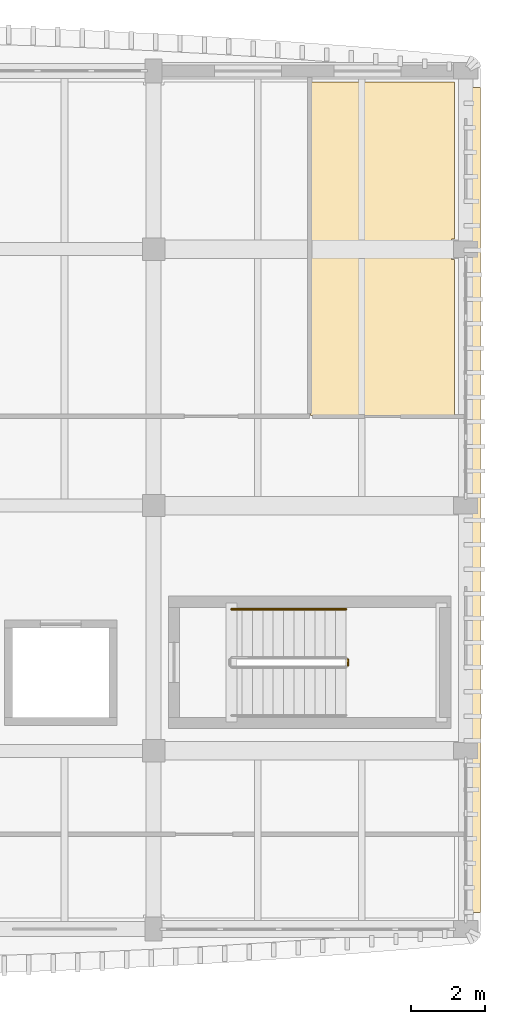
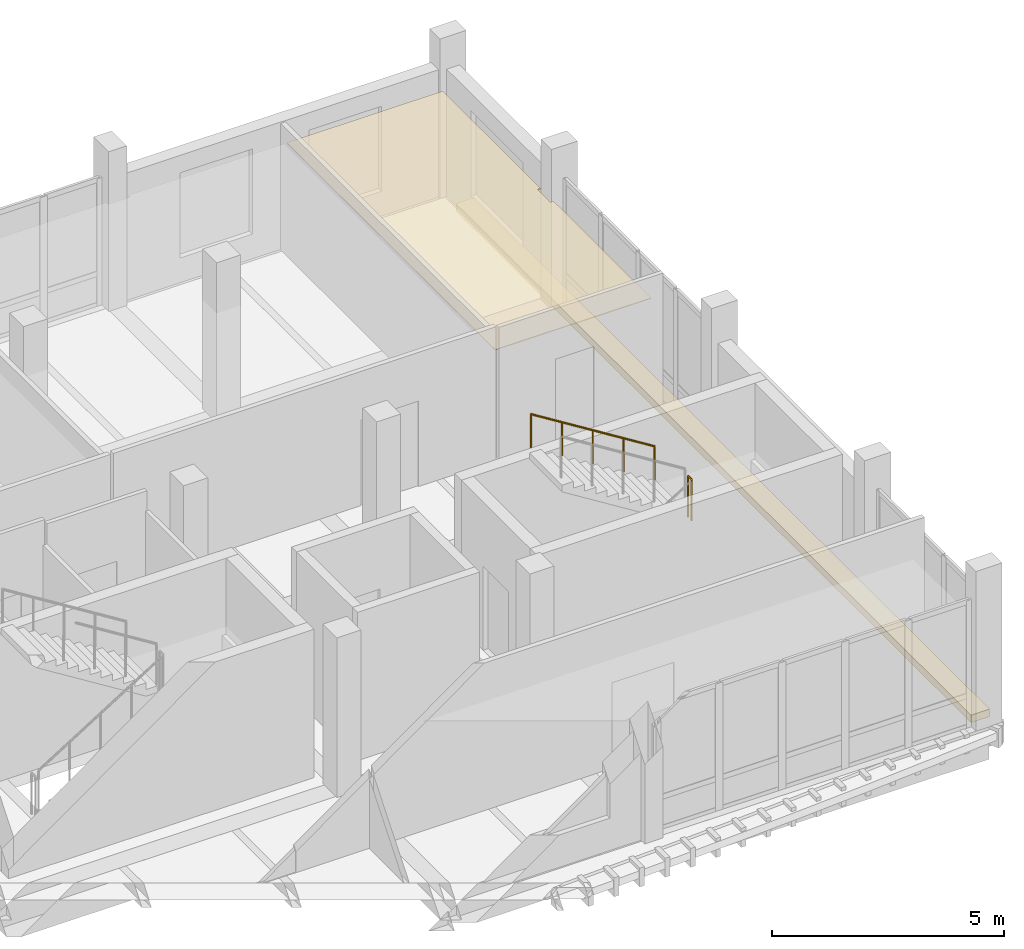
# One storey, part 13 of 16: 2 coverings, 2 railings.
"""IFC4 building model written with IfcOpenShell, lengths in metres."""

from ifc_helpers import new_model, si_unit, direction, frame, origin, origin_2d, place, context, subcontext, project, spatial, polyline, circle, outline, extrude, material, layer, layer_set, type_object, element, save


model = new_model("IFC4")

# Units and contexts
model_context = context("Model", 3, precision=1e-05, world=origin(), true_north=direction((0.0, 1.0)))
body_context = subcontext(model_context, "Body", "Model", "MODEL_VIEW")
ifc_project = project(units=[si_unit("LENGTHUNIT", "METRE"), si_unit("AREAUNIT", "SQUARE_METRE"), si_unit("VOLUMEUNIT", "CUBIC_METRE"), si_unit("PLANEANGLEUNIT", "RADIAN"), si_unit("MASSUNIT", "GRAM", prefix="KILO")], contexts=[model_context])

# Site, building, storey
site_placement = place(None, origin())
site = spatial("IfcSite", under=ifc_project, at=site_placement, CompositionType="ELEMENT")
building_placement = place(site_placement, origin())
building = spatial("IfcBuilding", under=site, at=building_placement, Name="Dornvale Research Institute", CompositionType="ELEMENT")
storey_placement = place(building_placement, frame((0.0, 0.0, 42.60009765625)))
storey = spatial("IfcBuildingStorey", under=building, at=storey_placement, Name="L09", CompositionType="ELEMENT", Elevation=42.60009765625)

# Coverings
ifc_material_1 = material(Name="Mineral-Fibre Acoustic Lay-In Ceiling Tile System")
ifc_layer_1 = layer(ifc_material_1, 0.02001953125)
ifc_layer_set_1 = layer_set([ifc_layer_1], Name="Mineral-Fibre Acoustic Lay-In Ceiling Tile System")
covering_type_1 = type_object("IfcCoveringType", Name="Covering_Acoustic_Ceiling", PredefinedType="CEILING", material=ifc_layer_set_1)
covering_1_placement = place(storey_placement, frame((0.0, 0.0, 2.849853515625)))
element("IfcCovering", 1, at=covering_1_placement, inside=storey, type_object=covering_type_1, Name="L09 Chief Archivist Office L09 suspended ceiling", PredefinedType="CEILING", context=body_context, shape_type="SweptSolid", body=[
    extrude(outline(polyline([(41.10009765625, 117.574951171875), (41.02490234375, 117.574951171875), (41.02490234375, 117.02490234375), (41.10009765625, 117.02490234375), (41.10009765625, 112.820068359375), (37.219970703125, 112.820068359375), (37.219970703125, 121.800048828125), (41.10009765625, 121.800048828125), (41.10009765625, 117.574951171875)])), origin(), (0.0, 0.0, 1.0), 0.02001953125),
])
ifc_material_2 = material(Name="Polychrome Glazed Terracotta Visor Rib Ceramic", Category="masonry")
ifc_layer_2 = layer(ifc_material_2, 0.199951171875)
ifc_layer_set_2 = layer_set([ifc_layer_2], Name="Polychrome Glazed Terracotta Visor Rib Ceramic")
covering_type_2 = type_object("IfcCoveringType", Name="Covering_VisorBrim_Shelf", PredefinedType="CLADDING", material=ifc_layer_set_2)
covering_2_placement = place(storey_placement, frame((0.0, 0.0, -0.280029296875)))
element("IfcCovering", 2, at=covering_2_placement, inside=storey, type_object=covering_type_2, Name="L09 V5 canted bowed-brim visor hood #39", PredefinedType="CLADDING", context=body_context, shape_type="SweptSolid", body=[
    extrude(outline(polyline([(41.80322265625, 99.449951171875), (41.340087890625, 99.449951171875), (41.340087890625, 121.64990234375), (41.80322265625, 121.64990234375), (41.80322265625, 99.449951171875)])), origin(), (0.0, 0.0, 1.0), 0.199951171875),
])

# Railings
ifc_material_3 = material(Name="Galvanized Painted Tubular Steel Stair Rail", Category="steel")
ifc_layer_3 = layer(ifc_material_3, 0.050048828125)
ifc_layer_set_3 = layer_set([ifc_layer_3], Name="Galvanized Painted Tubular Steel Stair Rail")
railing_type_1 = type_object("IfcRailingType", Name="Railing_Stair_Guard_1100", PredefinedType="GUARDRAIL", material=ifc_layer_set_3)
railing_1_placement = place(storey_placement, frame((38.22998046875, 106.10009765625, 2.099853515625)))
element("IfcRailing", 3, at=railing_1_placement, inside=storey, type_object=railing_type_1, Name="L09 ST-2 stair guard 2", PredefinedType="GUARDRAIL", context=body_context, shape_type="SweptSolid", body=[
    extrude(circle(Radius=0.02392578125, at=origin_2d()), frame((0.0, 0.0, 1.076171875), z_axis=(0.0, 1.0, 0.0), x_axis=(-1.0, 0.0, 0.0)), (0.0, 0.0, 1.0), 0.159912109375),
    extrude(circle(Radius=0.02099609375, at=origin_2d()), origin(), (0.0, 0.0, 1.0), 1.052001953125),
    extrude(circle(Radius=0.02099609375, at=origin_2d()), frame((0.0, 0.159912109375, 0.0)), (0.0, 0.0, 1.0), 1.052001953125),
])
ifc_material_4 = material(Name="Galvanized Painted Tubular Steel Stair Rail", Category="steel")
ifc_layer_4 = layer(ifc_material_4, 0.044921875)
ifc_layer_set_4 = layer_set([ifc_layer_4], Name="Galvanized Painted Tubular Steel Stair Rail")
railing_type_2 = type_object("IfcRailingType", Name="Railing_Stair_Handrail_900", PredefinedType="HANDRAIL", material=ifc_layer_set_4)
railing_2_placement = place(storey_placement, frame((38.179931640625, 107.610107421875, 2.27490234375)))
element("IfcRailing", 4, at=railing_2_placement, inside=storey, type_object=railing_type_2, Name="L09 ST-2 stair handrail 2", PredefinedType="HANDRAIL", context=body_context, shape_type="SweptSolid", body=[
    extrude(circle(Radius=0.02392578125, at=origin_2d()), frame((0.0, 0.0, 0.8759765625), z_axis=(-0.847979421464, 0.0, 0.530029150871), x_axis=(0.0, -1.0, 0.0)), (0.0, 0.0, 1.0), 3.632080078125),
    extrude(circle(Radius=0.02099609375, at=origin_2d()), origin(), (0.0, 0.0, 1.0), 0.851806640625),
    extrude(circle(Radius=0.02099609375, at=origin_2d()), frame((-0.77001953125, 0.0, 0.481201171875)), (0.0, 0.0, 1.0), 0.851806640625),
    extrude(circle(Radius=0.02099609375, at=origin_2d()), frame((-1.5400390625, 0.0, 0.96240234375)), (0.0, 0.0, 1.0), 0.851806640625),
    extrude(circle(Radius=0.02099609375, at=origin_2d()), frame((-2.309814453125, 0.0, 1.44384765625)), (0.0, 0.0, 1.0), 0.851806640625),
    extrude(circle(Radius=0.02099609375, at=origin_2d()), frame((-3.079833984375, 0.0, 1.925048828125)), (0.0, 0.0, 1.0), 0.851806640625),
])

save(model, "model.ifc")
